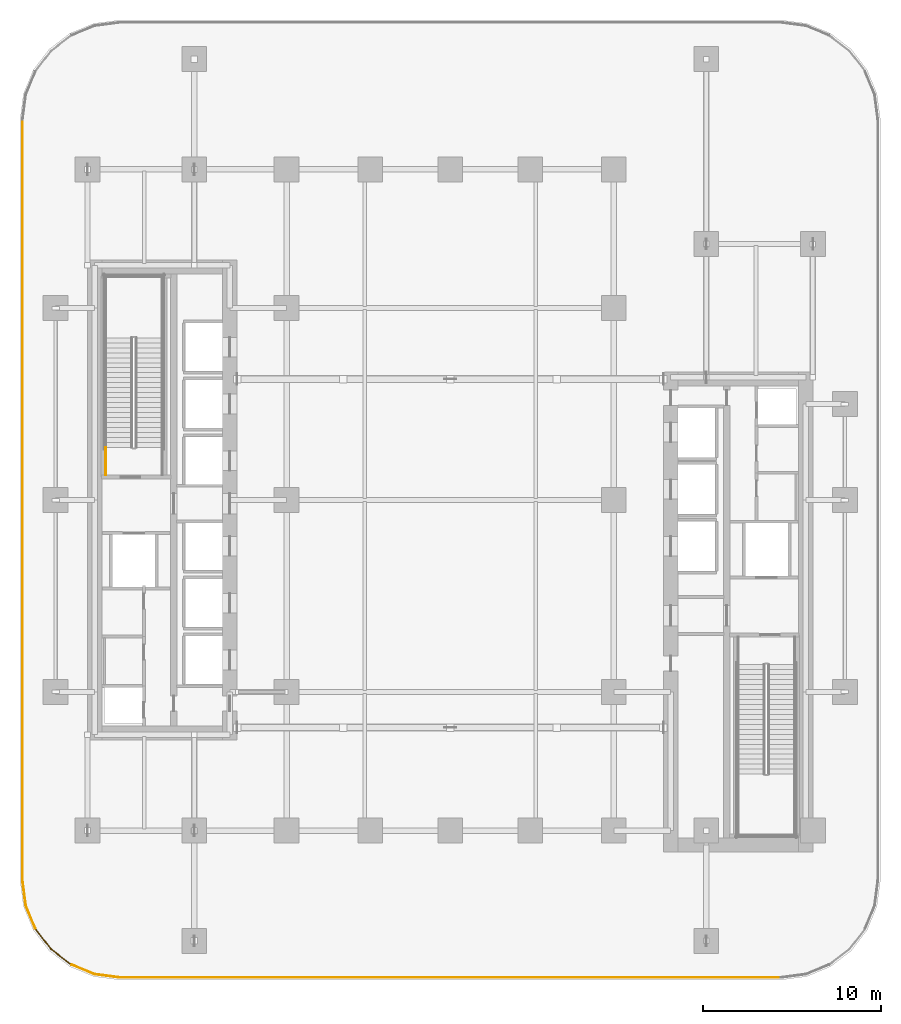
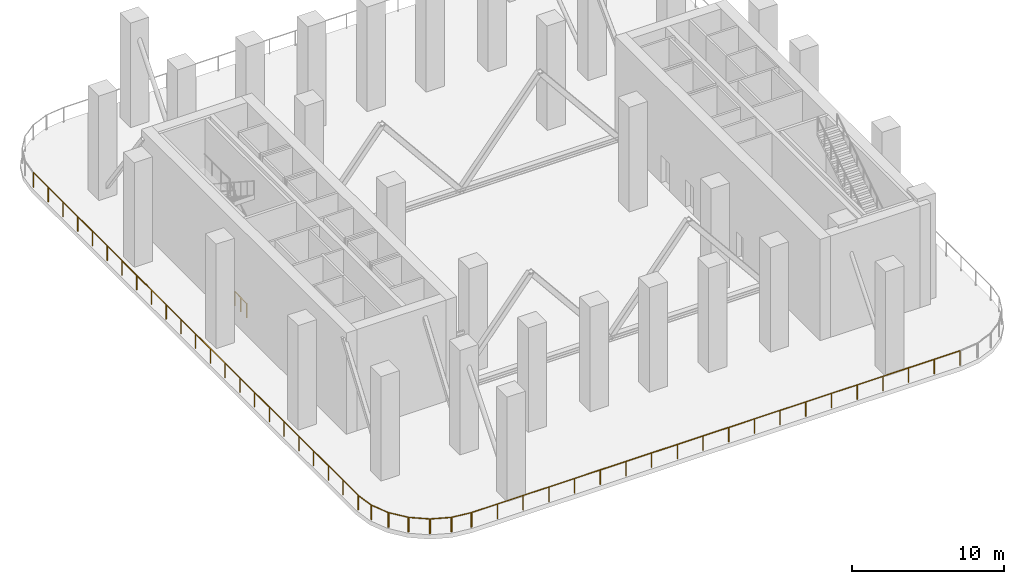
# One storey, part 8 of 13: 9 railings.
"""IFC4 building model written with IfcOpenShell, lengths in metres."""

from ifc_helpers import new_model, si_unit, direction, frame, origin, origin_2d, place, context, subcontext, project, spatial, circle, extrude, material, type_object, element, save


model = new_model("IFC4")

# Units and contexts
model_context = context("Model", 3, precision=1e-05, world=origin(), true_north=direction((0.0, 1.0)))
body_context = subcontext(model_context, "Body", "Model", "MODEL_VIEW")
ifc_project = project(units=[si_unit("LENGTHUNIT", "METRE"), si_unit("AREAUNIT", "SQUARE_METRE"), si_unit("VOLUMEUNIT", "CUBIC_METRE"), si_unit("PLANEANGLEUNIT", "RADIAN"), si_unit("MASSUNIT", "GRAM", prefix="KILO")], contexts=[model_context])

# Site, building, storey
site_placement = place(None, origin())
site = spatial("IfcSite", under=ifc_project, at=site_placement, CompositionType="ELEMENT")
building_placement = place(site_placement, origin())
building = spatial("IfcBuilding", under=site, at=building_placement, Name="Khairoan Windgate Tower", CompositionType="ELEMENT")
storey_placement = place(building_placement, frame((0.0, 0.0, 84.800048828125)))
storey = spatial("IfcBuildingStorey", under=building, at=storey_placement, Name="L20", CompositionType="ELEMENT", Elevation=84.800048828125)

# Railings
ifc_material_1 = material(Name="Anodised Bronze Aluminium 6063-T6", Category="aluminium")
railing_type_1 = type_object("IfcRailingType", Name="Aerodynamic Bronze-and-Glass Balustrade BAL-1200", PredefinedType="BALUSTRADE", material=ifc_material_1)
railing_1_placement = place(storey_placement, frame((18.56591796875, -26.860107421875, 0.0)))
element("IfcRailing", 1, at=railing_1_placement, inside=storey, type_object=railing_type_1, Name="L20 Wind-Slot Portal Perimeter Balustrade 01", PredefinedType="BALUSTRADE", context=body_context, shape_type="SweptSolid", body=[
    extrude(circle(Radius=0.02392578125, at=origin_2d()), frame((0.0, 0.0, 1.17578125), z_axis=(-1.0, 0.0, 0.0), x_axis=(0.0, -1.0, 0.0)), (0.0, 0.0, 1.0), 37.1318359375),
    extrude(circle(Radius=0.02099609375, at=origin_2d()), origin(), (0.0, 0.0, 1.0), 1.15185546875),
    extrude(circle(Radius=0.02099609375, at=origin_2d()), frame((-1.954345703125, 0.0, 0.0)), (0.0, 0.0, 1.0), 1.15185546875),
    extrude(circle(Radius=0.02099609375, at=origin_2d()), frame((-3.90869140625, 0.0, 0.0)), (0.0, 0.0, 1.0), 1.15185546875),
    extrude(circle(Radius=0.02099609375, at=origin_2d()), frame((-5.863037109375, 0.0, 0.0)), (0.0, 0.0, 1.0), 1.15185546875),
    extrude(circle(Radius=0.02099609375, at=origin_2d()), frame((-7.817138671875, 0.0, 0.0)), (0.0, 0.0, 1.0), 1.15185546875),
    extrude(circle(Radius=0.02099609375, at=origin_2d()), frame((-9.771484375, 0.0, 0.0)), (0.0, 0.0, 1.0), 1.15185546875),
    extrude(circle(Radius=0.02099609375, at=origin_2d()), frame((-11.725830078125, 0.0, 0.0)), (0.0, 0.0, 1.0), 1.15185546875),
    extrude(circle(Radius=0.02099609375, at=origin_2d()), frame((-13.68017578125, 0.0, 0.0)), (0.0, 0.0, 1.0), 1.15185546875),
    extrude(circle(Radius=0.02099609375, at=origin_2d()), frame((-15.634521484375, 0.0, 0.0)), (0.0, 0.0, 1.0), 1.15185546875),
    extrude(circle(Radius=0.02099609375, at=origin_2d()), frame((-17.5888671875, 0.0, 0.0)), (0.0, 0.0, 1.0), 1.15185546875),
    extrude(circle(Radius=0.02099609375, at=origin_2d()), frame((-19.54296875, 0.0, 0.0)), (0.0, 0.0, 1.0), 1.15185546875),
    extrude(circle(Radius=0.02099609375, at=origin_2d()), frame((-21.497314453125, 0.0, 0.0)), (0.0, 0.0, 1.0), 1.15185546875),
    extrude(circle(Radius=0.02099609375, at=origin_2d()), frame((-23.45166015625, 0.0, 0.0)), (0.0, 0.0, 1.0), 1.15185546875),
    extrude(circle(Radius=0.02099609375, at=origin_2d()), frame((-25.406005859375, 0.0, 0.0)), (0.0, 0.0, 1.0), 1.15185546875),
    extrude(circle(Radius=0.02099609375, at=origin_2d()), frame((-27.3603515625, 0.0, 0.0)), (0.0, 0.0, 1.0), 1.15185546875),
    extrude(circle(Radius=0.02099609375, at=origin_2d()), frame((-29.314697265625, 0.0, 0.0)), (0.0, 0.0, 1.0), 1.15185546875),
    extrude(circle(Radius=0.02099609375, at=origin_2d()), frame((-31.268798828125, 0.0, 0.0)), (0.0, 0.0, 1.0), 1.15185546875),
    extrude(circle(Radius=0.02099609375, at=origin_2d()), frame((-33.22314453125, 0.0, 0.0)), (0.0, 0.0, 1.0), 1.15185546875),
    extrude(circle(Radius=0.02099609375, at=origin_2d()), frame((-35.177490234375, 0.0, 0.0)), (0.0, 0.0, 1.0), 1.15185546875),
    extrude(circle(Radius=0.02099609375, at=origin_2d()), frame((-37.1318359375, 0.0, 0.0)), (0.0, 0.0, 1.0), 1.15185546875),
])
railing_2_placement = place(storey_placement, frame((-18.615478515625, -26.856689453125, 0.0)))
element("IfcRailing", 2, at=railing_2_placement, inside=storey, type_object=railing_type_1, Name="L20 Wind-Slot Portal Perimeter Balustrade 02", PredefinedType="BALUSTRADE", context=body_context, shape_type="SweptSolid", body=[
    extrude(circle(Radius=0.02392578125, at=origin_2d()), frame((0.0, 0.0, 1.17578125), z_axis=(-0.991448292058, 0.130500130936, 0.0), x_axis=(-0.130500130936, -0.991448292058, 0.0)), (0.0, 0.0, 1.0), 1.38427734375),
    extrude(circle(Radius=0.02099609375, at=origin_2d()), origin(), (0.0, 0.0, 1.0), 1.15185546875),
    extrude(circle(Radius=0.02099609375, at=origin_2d()), frame((-1.37255859375, 0.1806640625, 0.0)), (0.0, 0.0, 1.0), 1.15185546875),
])
railing_3_placement = place(storey_placement, frame((-20.035888671875, -26.6630859375, 0.0)))
element("IfcRailing", 3, at=railing_3_placement, inside=storey, type_object=railing_type_1, Name="L20 Wind-Slot Portal Perimeter Balustrade 03", PredefinedType="BALUSTRADE", context=body_context, shape_type="SweptSolid", body=[
    extrude(circle(Radius=0.02392578125, at=origin_2d()), frame((0.0, 0.0, 1.17578125), z_axis=(-0.923915142674, 0.382597450512, 0.0), x_axis=(-0.382597450512, -0.923915142674, 0.0)), (0.0, 0.0, 1.0), 1.375244140625),
    extrude(circle(Radius=0.02099609375, at=origin_2d()), origin(), (0.0, 0.0, 1.0), 1.15185546875),
    extrude(circle(Radius=0.02099609375, at=origin_2d()), frame((-1.2705078125, 0.526123046875, 0.0)), (0.0, 0.0, 1.0), 1.15185546875),
])
railing_4_placement = place(storey_placement, frame((-21.34912109375, -26.1123046875, 0.0)))
element("IfcRailing", 4, at=railing_4_placement, inside=storey, type_object=railing_type_1, Name="L20 Wind-Slot Portal Perimeter Balustrade 04", PredefinedType="BALUSTRADE", context=body_context, shape_type="SweptSolid", body=[
    extrude(circle(Radius=0.02392578125, at=origin_2d()), frame((0.0, 0.0, 1.17578125), z_axis=(-0.793369142529, 0.608740834578, 0.0), x_axis=(-0.608740834578, -0.793369142529, 0.0)), (0.0, 0.0, 1.0), 1.375244140625),
    extrude(circle(Radius=0.02099609375, at=origin_2d()), origin(), (0.0, 0.0, 1.0), 1.15185546875),
    extrude(circle(Radius=0.02099609375, at=origin_2d()), frame((-1.091064453125, 0.837158203125, 0.0)), (0.0, 0.0, 1.0), 1.15185546875),
])
railing_5_placement = place(storey_placement, frame((-22.47509765625, -25.240234375, 0.0)))
element("IfcRailing", 5, at=railing_5_placement, inside=storey, type_object=railing_type_1, Name="L20 Wind-Slot Portal Perimeter Balustrade 05", PredefinedType="BALUSTRADE", context=body_context, shape_type="SweptSolid", body=[
    extrude(circle(Radius=0.02392578125, at=origin_2d()), frame((0.0, 0.0, 1.17578125), z_axis=(-0.608740834578, 0.793369142529, 0.0), x_axis=(-0.793369142529, -0.608740834578, 0.0)), (0.0, 0.0, 1.0), 1.375244140625),
    extrude(circle(Radius=0.02099609375, at=origin_2d()), origin(), (0.0, 0.0, 1.0), 1.15185546875),
    extrude(circle(Radius=0.02099609375, at=origin_2d()), frame((-0.837158203125, 1.091064453125, 0.0)), (0.0, 0.0, 1.0), 1.15185546875),
])
railing_6_placement = place(storey_placement, frame((-23.3369140625, -24.106201171875, 0.0)))
element("IfcRailing", 6, at=railing_6_placement, inside=storey, type_object=railing_type_1, Name="L20 Wind-Slot Portal Perimeter Balustrade 06", PredefinedType="BALUSTRADE", context=body_context, shape_type="SweptSolid", body=[
    extrude(circle(Radius=0.02392578125, at=origin_2d()), frame((0.0, 0.0, 1.17578125), z_axis=(-0.382811769845, 0.923826362943, 0.0), x_axis=(-0.923826362943, -0.382811769845, 0.0)), (0.0, 0.0, 1.0), 1.375),
    extrude(circle(Radius=0.02099609375, at=origin_2d()), origin(), (0.0, 0.0, 1.0), 1.15185546875),
    extrude(circle(Radius=0.02099609375, at=origin_2d()), frame((-0.5263671875, 1.270263671875, 0.0)), (0.0, 0.0, 1.0), 1.15185546875),
])
railing_7_placement = place(storey_placement, frame((-23.876220703125, -22.7880859375, 0.0)))
element("IfcRailing", 7, at=railing_7_placement, inside=storey, type_object=railing_type_1, Name="L20 Wind-Slot Portal Perimeter Balustrade 07", PredefinedType="BALUSTRADE", context=body_context, shape_type="SweptSolid", body=[
    extrude(circle(Radius=0.02392578125, at=origin_2d()), frame((0.0, 0.0, 1.17578125), z_axis=(-0.130326776743, 0.991471094518, 0.0), x_axis=(-0.991471094518, -0.130326776743, 0.0)), (0.0, 0.0, 1.0), 1.38427734375),
    extrude(circle(Radius=0.02099609375, at=origin_2d()), origin(), (0.0, 0.0, 1.0), 1.15185546875),
    extrude(circle(Radius=0.02099609375, at=origin_2d()), frame((-0.180419921875, 1.37255859375, 0.0)), (0.0, 0.0, 1.0), 1.15185546875),
])
railing_8_placement = place(storey_placement, frame((-24.06005859375, -21.36572265625, 0.0)))
element("IfcRailing", 8, at=railing_8_placement, inside=storey, type_object=railing_type_1, Name="L20 Wind-Slot Portal Perimeter Balustrade 08", PredefinedType="BALUSTRADE", context=body_context, shape_type="SweptSolid", body=[
    extrude(circle(Radius=0.02392578125, at=origin_2d()), frame((0.0, 0.0, 1.17578125), z_axis=(0.0, 1.0, 0.0), x_axis=(-1.0, 0.0, 0.0)), (0.0, 0.0, 1.0), 42.7314453125),
    extrude(circle(Radius=0.02099609375, at=origin_2d()), origin(), (0.0, 0.0, 1.0), 1.15185546875),
    extrude(circle(Radius=0.02099609375, at=origin_2d()), frame((0.0, 1.9423828125, 0.0)), (0.0, 0.0, 1.0), 1.15185546875),
    extrude(circle(Radius=0.02099609375, at=origin_2d()), frame((0.0, 3.884765625, 0.0)), (0.0, 0.0, 1.0), 1.15185546875),
    extrude(circle(Radius=0.02099609375, at=origin_2d()), frame((0.0, 5.826904296875, 0.0)), (0.0, 0.0, 1.0), 1.15185546875),
    extrude(circle(Radius=0.02099609375, at=origin_2d()), frame((0.0, 7.769287109375, 0.0)), (0.0, 0.0, 1.0), 1.15185546875),
    extrude(circle(Radius=0.02099609375, at=origin_2d()), frame((0.0, 9.711669921875, 0.0)), (0.0, 0.0, 1.0), 1.15185546875),
    extrude(circle(Radius=0.02099609375, at=origin_2d()), frame((0.0, 11.654052734375, 0.0)), (0.0, 0.0, 1.0), 1.15185546875),
    extrude(circle(Radius=0.02099609375, at=origin_2d()), frame((0.0, 13.596435546875, 0.0)), (0.0, 0.0, 1.0), 1.15185546875),
    extrude(circle(Radius=0.02099609375, at=origin_2d()), frame((0.0, 15.538818359375, 0.0)), (0.0, 0.0, 1.0), 1.15185546875),
    extrude(circle(Radius=0.02099609375, at=origin_2d()), frame((0.0, 17.48095703125, 0.0)), (0.0, 0.0, 1.0), 1.15185546875),
    extrude(circle(Radius=0.02099609375, at=origin_2d()), frame((0.0, 19.42333984375, 0.0)), (0.0, 0.0, 1.0), 1.15185546875),
    extrude(circle(Radius=0.02099609375, at=origin_2d()), frame((0.0, 21.36572265625, 0.0)), (0.0, 0.0, 1.0), 1.15185546875),
    extrude(circle(Radius=0.02099609375, at=origin_2d()), frame((0.0, 23.30810546875, 0.0)), (0.0, 0.0, 1.0), 1.15185546875),
    extrude(circle(Radius=0.02099609375, at=origin_2d()), frame((0.0, 25.25048828125, 0.0)), (0.0, 0.0, 1.0), 1.15185546875),
    extrude(circle(Radius=0.02099609375, at=origin_2d()), frame((0.0, 27.192626953125, 0.0)), (0.0, 0.0, 1.0), 1.15185546875),
    extrude(circle(Radius=0.02099609375, at=origin_2d()), frame((0.0, 29.135009765625, 0.0)), (0.0, 0.0, 1.0), 1.15185546875),
    extrude(circle(Radius=0.02099609375, at=origin_2d()), frame((0.0, 31.077392578125, 0.0)), (0.0, 0.0, 1.0), 1.15185546875),
    extrude(circle(Radius=0.02099609375, at=origin_2d()), frame((0.0, 33.019775390625, 0.0)), (0.0, 0.0, 1.0), 1.15185546875),
    extrude(circle(Radius=0.02099609375, at=origin_2d()), frame((0.0, 34.962158203125, 0.0)), (0.0, 0.0, 1.0), 1.15185546875),
    extrude(circle(Radius=0.02099609375, at=origin_2d()), frame((0.0, 36.904541015625, 0.0)), (0.0, 0.0, 1.0), 1.15185546875),
    extrude(circle(Radius=0.02099609375, at=origin_2d()), frame((0.0, 38.8466796875, 0.0)), (0.0, 0.0, 1.0), 1.15185546875),
    extrude(circle(Radius=0.02099609375, at=origin_2d()), frame((0.0, 40.7890625, 0.0)), (0.0, 0.0, 1.0), 1.15185546875),
    extrude(circle(Radius=0.02099609375, at=origin_2d()), frame((0.0, 42.7314453125, 0.0)), (0.0, 0.0, 1.0), 1.15185546875),
])
ifc_material_2 = material(Name="Steel S355", Category="steel")
railing_type_2 = type_object("IfcRailingType", Name="Stairwell Safety Guardrail SGR-1150", PredefinedType="GUARDRAIL", material=ifc_material_2)
railing_9_placement = place(storey_placement, frame((-19.3701171875, 1.39990234375, 0.0)))
element("IfcRailing", 9, at=railing_9_placement, inside=storey, type_object=railing_type_2, Name="L20 ST2 stair guard 9", PredefinedType="GUARDRAIL", context=body_context, shape_type="SweptSolid", body=[
    extrude(circle(Radius=0.02392578125, at=origin_2d()), frame((0.0, 0.0, 1.1259765625), z_axis=(0.0, 1.0, 0.0), x_axis=(-1.0, 0.0, 0.0)), (0.0, 0.0, 1.0), 1.56005859375),
    extrude(circle(Radius=0.02099609375, at=origin_2d()), origin(), (0.0, 0.0, 1.0), 1.101806640625),
    extrude(circle(Radius=0.02099609375, at=origin_2d()), frame((0.0, 0.780029296875, 0.0)), (0.0, 0.0, 1.0), 1.101806640625),
    extrude(circle(Radius=0.02099609375, at=origin_2d()), frame((0.0, 1.56005859375, 0.0)), (0.0, 0.0, 1.0), 1.101806640625),
])

save(model, "model.ifc")
